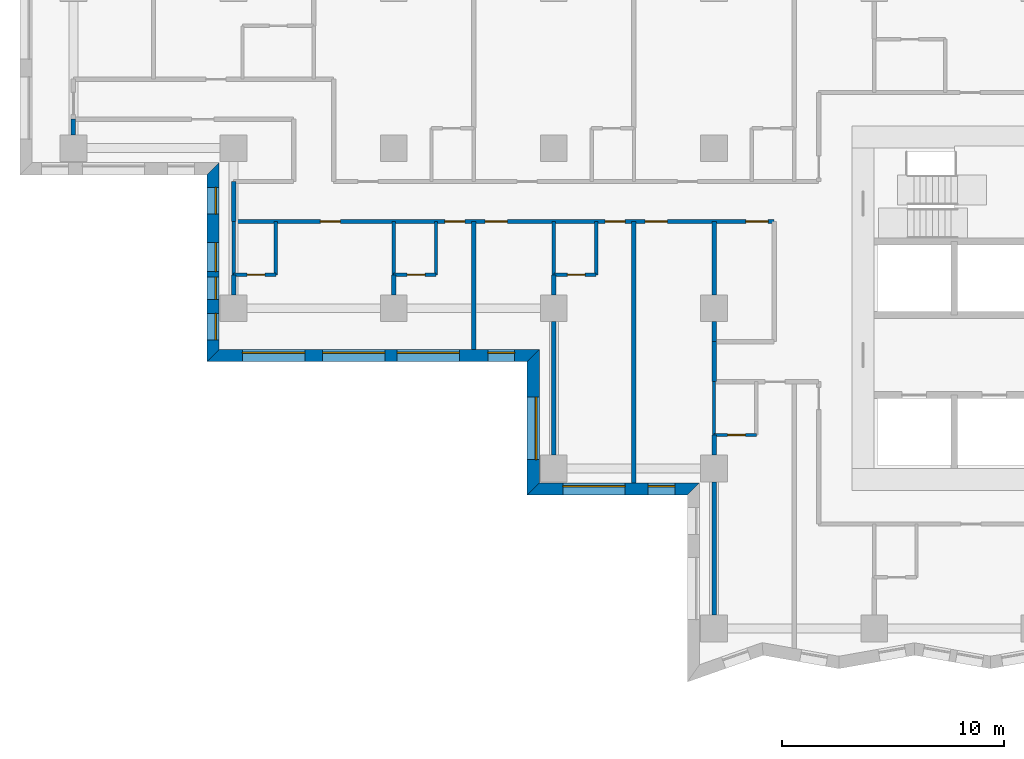
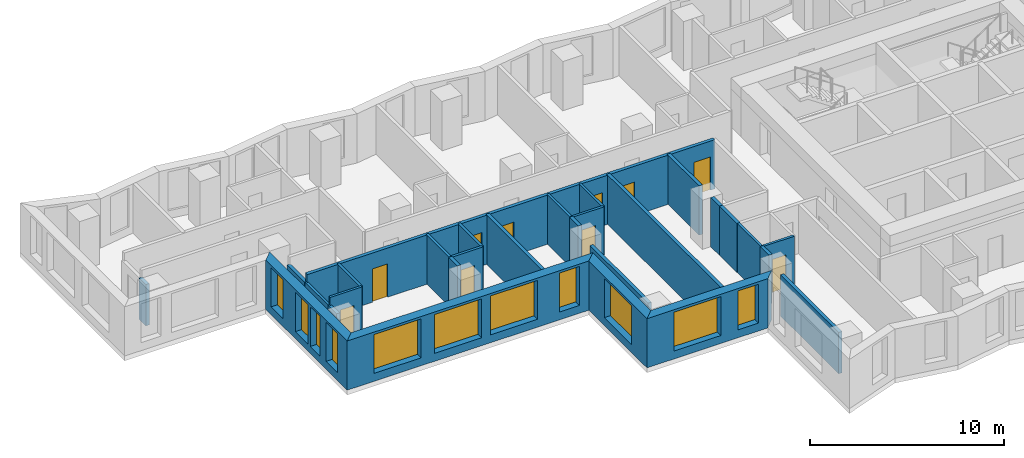
# One storey, part 3 of 12: 29 walls, 11 windows, 10 doors, 21 openings.
"""IFC4 building model written with IfcOpenShell, lengths in metres."""

from ifc_helpers import new_model, si_unit, direction, frame, frame_2d, origin, place, context, subcontext, project, spatial, polyline, rectangle, outline, extrude, material, layer, layer_set, type_object, element, fill, save


model = new_model("IFC4")

# Units and contexts
model_context = context("Model", 3, precision=1e-05, world=origin(), true_north=direction((0.0, 1.0)))
body_context = subcontext(model_context, "Body", "Model", "MODEL_VIEW")
ifc_project = project(units=[si_unit("LENGTHUNIT", "METRE"), si_unit("AREAUNIT", "SQUARE_METRE"), si_unit("VOLUMEUNIT", "CUBIC_METRE"), si_unit("PLANEANGLEUNIT", "RADIAN"), si_unit("MASSUNIT", "GRAM", prefix="KILO")], contexts=[model_context])

# Site, building, storey
site_placement = place(None, origin())
site = spatial("IfcSite", under=ifc_project, at=site_placement, CompositionType="ELEMENT")
building_placement = place(site_placement, origin())
building = spatial("IfcBuilding", under=site, at=building_placement, Name="Windrow Commons", CompositionType="ELEMENT")
storey_placement = place(building_placement, frame((0.0, 0.0, 61.0)))
storey = spatial("IfcBuildingStorey", under=building, at=storey_placement, Name="L16", CompositionType="ELEMENT", Elevation=61.0)

# Wall, openings, windows
ifc_material_1 = material(Name="Brick masonry, red clay brick", Category="masonry")
ifc_layer_1 = layer(ifc_material_1, 0.55)
ifc_layer_set_1 = layer_set([ifc_layer_1], Name="Brick facade wall 550")
wall_type_1 = type_object("IfcWallType", Name="Brick facade wall 550", PredefinedType="SOLIDWALL", material=ifc_layer_set_1)
wall_1_placement = place(storey_placement, frame((27.875, 63.875, 0.0), z_axis=(0.0, 0.0, 1.0), x_axis=(0.0, -1.0, 0.0)))
wall_1 = element("IfcWall", 1, at=wall_1_placement, inside=storey, type_object=wall_type_1, Name="Brick facade wall L16 41", PredefinedType="SOLIDWALL", context=body_context, shape_type="SweptSolid", body=[
    extrude(outline(polyline([(0.275, -0.275), (8.678, -0.275), (8.128, 0.275), (-0.275, 0.275), (0.275, -0.275)])), origin(), (0.0, 0.0, 1.0), 3.1),
])
opening_1_placement = place(wall_1_placement, frame((0.8375, 0.0, 0.5)))
opening_1 = element("IfcOpeningElement", 2, at=opening_1_placement, cuts=wall_1, Name="Opening W7D", PredefinedType="OPENING", context=body_context, shape_type="SweptSolid", body=[
    extrude(rectangle(XDim=1.2, YDim=2.45, at=frame_2d((0.6, 1.225))), frame((0.0, 0.285, 0.0), z_axis=(0.0, -1.0, 0.0), x_axis=(1.0, 0.0, 0.0)), (0.0, 0.0, 1.0), 0.57),
])
opening_2_placement = place(wall_1_placement, frame((6.5015, 0.0, 0.5)))
opening_2 = element("IfcOpeningElement", 3, at=opening_2_placement, cuts=wall_1, Name="Opening W7D", PredefinedType="OPENING", context=body_context, shape_type="SweptSolid", body=[
    extrude(rectangle(XDim=1.2, YDim=2.45, at=frame_2d((0.6, 1.225))), frame((0.0, 0.285, 0.0), z_axis=(0.0, -1.0, 0.0), x_axis=(1.0, 0.0, 0.0)), (0.0, 0.0, 1.0), 0.57),
])
opening_3_placement = place(wall_1_placement, frame((3.325, 0.0, 0.45)))
opening_3 = element("IfcOpeningElement", 4, at=opening_3_placement, cuts=wall_1, Name="Opening W1Q", PredefinedType="OPENING", context=body_context, shape_type="SweptSolid", body=[
    extrude(rectangle(XDim=1.3, YDim=2.5, at=frame_2d((0.65, 1.25))), frame((0.0, 0.285, 0.0), z_axis=(0.0, -1.0, 0.0), x_axis=(1.0, 0.0, 0.0)), (0.0, 0.0, 1.0), 0.57),
])
opening_4_placement = place(wall_1_placement, frame((4.875, 0.0, 0.45)))
opening_4 = element("IfcOpeningElement", 5, at=opening_4_placement, cuts=wall_1, Name="Opening W1S", PredefinedType="OPENING", context=body_context, shape_type="SweptSolid", body=[
    extrude(rectangle(XDim=1.0, YDim=2.5, at=frame_2d((0.5, 1.25))), frame((0.0, 0.285, 0.0), z_axis=(0.0, -1.0, 0.0), x_axis=(1.0, 0.0, 0.0)), (0.0, 0.0, 1.0), 0.57),
])
ifc_material_2 = material(Name="Clear float glass in anodised aluminium frame", Category="aluminium")
window_type_1 = type_object("IfcWindowType", Name="Window W1Q pair 1300x2500", PartitioningType="SINGLE_PANEL", PredefinedType="WINDOW", material=ifc_material_2)
window_1_placement = place(opening_3_placement, origin())
window_1 = element("IfcWindow", 6, at=window_1_placement, inside=storey, type_object=window_type_1, Name="Window L16 41.1A", OverallHeight=2.5, OverallWidth=1.3, PartitioningType="SINGLE_PANEL", PredefinedType="WINDOW", context=body_context, shape_type="SweptSolid", body=[
    extrude(rectangle(XDim=1.3, YDim=2.5, at=frame_2d((0.65, 1.25))), frame((0.0, 0.155, 0.0), z_axis=(0.0, -1.0, 0.0), x_axis=(1.0, 0.0, 0.0)), (0.0, 0.0, 1.0), 0.06),
])
fill(opening_3, window_1)
ifc_material_3 = material(Name="Clear float glass in anodised aluminium frame", Category="aluminium")
window_type_2 = type_object("IfcWindowType", Name="Window W1S slit 1000x2500", PartitioningType="SINGLE_PANEL", PredefinedType="WINDOW", material=ifc_material_3)
window_2_placement = place(opening_4_placement, origin())
window_2 = element("IfcWindow", 7, at=window_2_placement, inside=storey, type_object=window_type_2, Name="Window L16 41.1B", OverallHeight=2.5, OverallWidth=1.0, PartitioningType="SINGLE_PANEL", PredefinedType="WINDOW", context=body_context, shape_type="SweptSolid", body=[
    extrude(rectangle(XDim=1.0, YDim=2.5, at=frame_2d((0.5, 1.25))), frame((0.0, 0.155, 0.0), z_axis=(0.0, -1.0, 0.0), x_axis=(1.0, 0.0, 0.0)), (0.0, 0.0, 1.0), 0.06),
])
fill(opening_4, window_2)
ifc_material_4 = material(Name="Clear float glass in anodised aluminium frame", Category="aluminium")
window_type_3 = type_object("IfcWindowType", Name="Window W7 notch 1200x2450", PartitioningType="SINGLE_PANEL", PredefinedType="WINDOW", material=ifc_material_4)
window_3_placement = place(opening_1_placement, origin())
window_3 = element("IfcWindow", 8, at=window_3_placement, inside=storey, type_object=window_type_3, Name="Window L16 41.2", OverallHeight=2.45, OverallWidth=1.2, PartitioningType="SINGLE_PANEL", PredefinedType="WINDOW", context=body_context, shape_type="SweptSolid", body=[
    extrude(rectangle(XDim=1.2, YDim=2.45, at=frame_2d((0.6, 1.225))), frame((0.0, 0.155, 0.0), z_axis=(0.0, -1.0, 0.0), x_axis=(1.0, 0.0, 0.0)), (0.0, 0.0, 1.0), 0.06),
])
fill(opening_1, window_3)
window_4_placement = place(opening_2_placement, origin())
window_4 = element("IfcWindow", 9, at=window_4_placement, inside=storey, type_object=window_type_3, Name="Window L16 41.3", OverallHeight=2.45, OverallWidth=1.2, PartitioningType="SINGLE_PANEL", PredefinedType="WINDOW", context=body_context, shape_type="SweptSolid", body=[
    extrude(rectangle(XDim=1.2, YDim=2.45, at=frame_2d((0.6, 1.225))), frame((0.0, 0.155, 0.0), z_axis=(0.0, -1.0, 0.0), x_axis=(1.0, 0.0, 0.0)), (0.0, 0.0, 1.0), 0.06),
])
fill(opening_2, window_4)

wall_2_placement = place(storey_placement, frame((27.875, 55.472, 0.0), z_axis=(0.0, 0.0, 1.0), x_axis=(1.0, 0.0, 0.0)))
wall_2 = element("IfcWall", 10, at=wall_2_placement, inside=storey, type_object=wall_type_1, Name="Brick facade wall L16 42", PredefinedType="SOLIDWALL", context=body_context, shape_type="SweptSolid", body=[
    extrude(outline(polyline([(-0.275, -0.275), (14.125, -0.275), (14.675, 0.275), (0.275, 0.275), (-0.275, -0.275)])), origin(), (0.0, 0.0, 1.0), 3.1),
])
opening_5_placement = place(wall_2_placement, frame((1.325, 0.0, 0.5)))
opening_5 = element("IfcOpeningElement", 11, at=opening_5_placement, cuts=wall_2, Name="Opening W1T", PredefinedType="OPENING", context=body_context, shape_type="SweptSolid", body=[
    extrude(rectangle(XDim=2.8, YDim=2.45, at=frame_2d((1.4, 1.225))), frame((0.0, 0.285, 0.0), z_axis=(0.0, -1.0, 0.0), x_axis=(1.0, 0.0, 0.0)), (0.0, 0.0, 1.0), 0.57),
])
opening_6_placement = place(wall_2_placement, frame((4.925, 0.0, 0.5)))
opening_6 = element("IfcOpeningElement", 12, at=opening_6_placement, cuts=wall_2, Name="Opening W1T", PredefinedType="OPENING", context=body_context, shape_type="SweptSolid", body=[
    extrude(rectangle(XDim=2.8, YDim=2.45, at=frame_2d((1.4, 1.225))), frame((0.0, 0.285, 0.0), z_axis=(0.0, -1.0, 0.0), x_axis=(1.0, 0.0, 0.0)), (0.0, 0.0, 1.0), 0.57),
])
opening_7_placement = place(wall_2_placement, frame((8.275, 0.0, 0.5)))
opening_7 = element("IfcOpeningElement", 13, at=opening_7_placement, cuts=wall_2, Name="Opening W1T", PredefinedType="OPENING", context=body_context, shape_type="SweptSolid", body=[
    extrude(rectangle(XDim=2.8, YDim=2.45, at=frame_2d((1.4, 1.225))), frame((0.0, 0.285, 0.0), z_axis=(0.0, -1.0, 0.0), x_axis=(1.0, 0.0, 0.0)), (0.0, 0.0, 1.0), 0.57),
])
opening_8_placement = place(wall_2_placement, frame((12.3625, 0.0, 0.5)))
opening_8 = element("IfcOpeningElement", 14, at=opening_8_placement, cuts=wall_2, Name="Opening W7D", PredefinedType="OPENING", context=body_context, shape_type="SweptSolid", body=[
    extrude(rectangle(XDim=1.2, YDim=2.45, at=frame_2d((0.6, 1.225))), frame((0.0, 0.285, 0.0), z_axis=(0.0, -1.0, 0.0), x_axis=(1.0, 0.0, 0.0)), (0.0, 0.0, 1.0), 0.57),
])
ifc_material_5 = material(Name="Clear float glass in anodised aluminium frame", Category="aluminium")
window_type_4 = type_object("IfcWindowType", Name="Window W1T bedroom 2800x2450", PartitioningType="SINGLE_PANEL", PredefinedType="WINDOW", material=ifc_material_5)
window_5_placement = place(opening_5_placement, origin())
window_5 = element("IfcWindow", 15, at=window_5_placement, inside=storey, type_object=window_type_4, Name="Window L16 42.1", OverallHeight=2.45, OverallWidth=2.8, PartitioningType="SINGLE_PANEL", PredefinedType="WINDOW", context=body_context, shape_type="SweptSolid", body=[
    extrude(rectangle(XDim=2.8, YDim=2.45, at=frame_2d((1.4, 1.225))), frame((0.0, 0.155, 0.0), z_axis=(0.0, -1.0, 0.0), x_axis=(1.0, 0.0, 0.0)), (0.0, 0.0, 1.0), 0.06),
])
fill(opening_5, window_5)
window_6_placement = place(opening_6_placement, origin())
window_6 = element("IfcWindow", 16, at=window_6_placement, inside=storey, type_object=window_type_4, Name="Window L16 42.2", OverallHeight=2.45, OverallWidth=2.8, PartitioningType="SINGLE_PANEL", PredefinedType="WINDOW", context=body_context, shape_type="SweptSolid", body=[
    extrude(rectangle(XDim=2.8, YDim=2.45, at=frame_2d((1.4, 1.225))), frame((0.0, 0.155, 0.0), z_axis=(0.0, -1.0, 0.0), x_axis=(1.0, 0.0, 0.0)), (0.0, 0.0, 1.0), 0.06),
])
fill(opening_6, window_6)
window_7_placement = place(opening_7_placement, origin())
window_7 = element("IfcWindow", 17, at=window_7_placement, inside=storey, type_object=window_type_4, Name="Window L16 42.3", OverallHeight=2.45, OverallWidth=2.8, PartitioningType="SINGLE_PANEL", PredefinedType="WINDOW", context=body_context, shape_type="SweptSolid", body=[
    extrude(rectangle(XDim=2.8, YDim=2.45, at=frame_2d((1.4, 1.225))), frame((0.0, 0.155, 0.0), z_axis=(0.0, -1.0, 0.0), x_axis=(1.0, 0.0, 0.0)), (0.0, 0.0, 1.0), 0.06),
])
fill(opening_7, window_7)
window_8_placement = place(opening_8_placement, origin())
window_8 = element("IfcWindow", 18, at=window_8_placement, inside=storey, type_object=window_type_3, Name="Window L16 42.4", OverallHeight=2.45, OverallWidth=1.2, PartitioningType="SINGLE_PANEL", PredefinedType="WINDOW", context=body_context, shape_type="SweptSolid", body=[
    extrude(rectangle(XDim=1.2, YDim=2.45, at=frame_2d((0.6, 1.225))), frame((0.0, 0.155, 0.0), z_axis=(0.0, -1.0, 0.0), x_axis=(1.0, 0.0, 0.0)), (0.0, 0.0, 1.0), 0.06),
])
fill(opening_8, window_8)

# Wall, opening, window
wall_3_placement = place(storey_placement, frame((42.275, 55.472, 0.0), z_axis=(0.0, 0.0, 1.0), x_axis=(0.0, -1.0, 0.0)))
wall_3 = element("IfcWall", 19, at=wall_3_placement, inside=storey, type_object=wall_type_1, Name="Brick facade wall L16 43", PredefinedType="SOLIDWALL", context=body_context, shape_type="SweptSolid", body=[
    extrude(outline(polyline([(0.275, -0.275), (6.272, -0.275), (5.722, 0.275), (-0.275, 0.275), (0.275, -0.275)])), origin(), (0.0, 0.0, 1.0), 3.1),
])
opening_9_placement = place(wall_3_placement, frame((1.872, 0.0, 0.5)))
opening_9 = element("IfcOpeningElement", 20, at=opening_9_placement, cuts=wall_3, Name="Opening W1T", PredefinedType="OPENING", context=body_context, shape_type="SweptSolid", body=[
    extrude(rectangle(XDim=2.8, YDim=2.45, at=frame_2d((1.4, 1.225))), frame((0.0, 0.285, 0.0), z_axis=(0.0, -1.0, 0.0), x_axis=(1.0, 0.0, 0.0)), (0.0, 0.0, 1.0), 0.57),
])
window_9_placement = place(opening_9_placement, origin())
window_9 = element("IfcWindow", 21, at=window_9_placement, inside=storey, type_object=window_type_4, Name="Window L16 43.1", OverallHeight=2.45, OverallWidth=2.8, PartitioningType="SINGLE_PANEL", PredefinedType="WINDOW", context=body_context, shape_type="SweptSolid", body=[
    extrude(rectangle(XDim=2.8, YDim=2.45, at=frame_2d((1.4, 1.225))), frame((0.0, 0.155, 0.0), z_axis=(0.0, -1.0, 0.0), x_axis=(1.0, 0.0, 0.0)), (0.0, 0.0, 1.0), 0.06),
])
fill(opening_9, window_9)

# Wall, openings, windows
wall_4_placement = place(storey_placement, frame((42.275, 49.475, 0.0), z_axis=(0.0, 0.0, 1.0), x_axis=(1.0, 0.0, 0.0)))
wall_4 = element("IfcWall", 22, at=wall_4_placement, inside=storey, type_object=wall_type_1, Name="Brick facade wall L16 44", PredefinedType="SOLIDWALL", context=body_context, shape_type="SweptSolid", body=[
    extrude(outline(polyline([(-0.275, -0.275), (6.925, -0.275), (7.475, 0.275), (0.275, 0.275), (-0.275, -0.275)])), origin(), (0.0, 0.0, 1.0), 3.1),
])
opening_10_placement = place(wall_4_placement, frame((1.325, 0.0, 0.5)))
opening_10 = element("IfcOpeningElement", 23, at=opening_10_placement, cuts=wall_4, Name="Opening W1T", PredefinedType="OPENING", context=body_context, shape_type="SweptSolid", body=[
    extrude(rectangle(XDim=2.8, YDim=2.45, at=frame_2d((1.4, 1.225))), frame((0.0, 0.285, 0.0), z_axis=(0.0, -1.0, 0.0), x_axis=(1.0, 0.0, 0.0)), (0.0, 0.0, 1.0), 0.57),
])
opening_11_placement = place(wall_4_placement, frame((5.1625, 0.0, 0.5)))
opening_11 = element("IfcOpeningElement", 24, at=opening_11_placement, cuts=wall_4, Name="Opening W7D", PredefinedType="OPENING", context=body_context, shape_type="SweptSolid", body=[
    extrude(rectangle(XDim=1.2, YDim=2.45, at=frame_2d((0.6, 1.225))), frame((0.0, 0.285, 0.0), z_axis=(0.0, -1.0, 0.0), x_axis=(1.0, 0.0, 0.0)), (0.0, 0.0, 1.0), 0.57),
])
window_10_placement = place(opening_10_placement, origin())
window_10 = element("IfcWindow", 25, at=window_10_placement, inside=storey, type_object=window_type_4, Name="Window L16 44.1", OverallHeight=2.45, OverallWidth=2.8, PartitioningType="SINGLE_PANEL", PredefinedType="WINDOW", context=body_context, shape_type="SweptSolid", body=[
    extrude(rectangle(XDim=2.8, YDim=2.45, at=frame_2d((1.4, 1.225))), frame((0.0, 0.155, 0.0), z_axis=(0.0, -1.0, 0.0), x_axis=(1.0, 0.0, 0.0)), (0.0, 0.0, 1.0), 0.06),
])
fill(opening_10, window_10)
window_11_placement = place(opening_11_placement, origin())
window_11 = element("IfcWindow", 26, at=window_11_placement, inside=storey, type_object=window_type_3, Name="Window L16 44.2", OverallHeight=2.45, OverallWidth=1.2, PartitioningType="SINGLE_PANEL", PredefinedType="WINDOW", context=body_context, shape_type="SweptSolid", body=[
    extrude(rectangle(XDim=1.2, YDim=2.45, at=frame_2d((0.6, 1.225))), frame((0.0, 0.155, 0.0), z_axis=(0.0, -1.0, 0.0), x_axis=(1.0, 0.0, 0.0)), (0.0, 0.0, 1.0), 0.06),
])
fill(opening_11, window_11)

# Wall, openings, doors
ifc_material_6 = material(Name="Blockwork partition", Category="masonry")
ifc_layer_2 = layer(ifc_material_6, 0.2)
ifc_layer_set_2 = layer_set([ifc_layer_2], Name="IW-CORRIDOR-200")
wall_type_2 = type_object("IfcWallType", Name="IW-CORRIDOR-200", PredefinedType="PARTITIONING", material=ifc_layer_set_2)
wall_5_placement = place(storey_placement, frame((28.8, 61.5, 0.0), z_axis=(0.0, 0.0, 1.0), x_axis=(1.0, 0.0, 0.0)))
wall_5 = element("IfcWall", 27, at=wall_5_placement, inside=storey, type_object=wall_type_2, Name="W-L16-W000", PredefinedType="PARTITIONING", context=body_context, shape_type="SweptSolid", body=[
    extrude(rectangle(XDim=24.3, YDim=0.2, at=frame_2d((12.15, 0.0))), origin(), (0.0, 0.0, 1.0), 3.1),
])
opening_12_placement = place(wall_5_placement, frame((3.8994, 0.0, 0.0)))
opening_12 = element("IfcOpeningElement", 28, at=opening_12_placement, cuts=wall_5, Name="Opening D109F", PredefinedType="OPENING", context=body_context, shape_type="SweptSolid", body=[
    extrude(rectangle(XDim=0.9, YDim=2.1, at=frame_2d((0.45, 1.05))), frame((0.0, 0.11, 0.0), z_axis=(0.0, -1.0, 0.0), x_axis=(1.0, 0.0, 0.0)), (0.0, 0.0, 1.0), 0.22),
])
opening_13_placement = place(wall_5_placement, frame((9.5, 0.0, 0.0)))
opening_13 = element("IfcOpeningElement", 29, at=opening_13_placement, cuts=wall_5, Name="Opening D109S", PredefinedType="OPENING", context=body_context, shape_type="SweptSolid", body=[
    extrude(rectangle(XDim=0.9, YDim=2.1, at=frame_2d((0.45, 1.05))), frame((0.0, 0.11, 0.0), z_axis=(0.0, -1.0, 0.0), x_axis=(1.0, 0.0, 0.0)), (0.0, 0.0, 1.0), 0.22),
])
opening_14_placement = place(wall_5_placement, frame((11.3075, 0.0, 0.0)))
opening_14 = element("IfcOpeningElement", 30, at=opening_14_placement, cuts=wall_5, Name="Opening D310F", PredefinedType="OPENING", context=body_context, shape_type="SweptSolid", body=[
    extrude(rectangle(XDim=1.0, YDim=2.1, at=frame_2d((0.5, 1.05))), frame((0.0, 0.11, 0.0), z_axis=(0.0, -1.0, 0.0), x_axis=(1.0, 0.0, 0.0)), (0.0, 0.0, 1.0), 0.22),
])
opening_15_placement = place(wall_5_placement, frame((16.7, 0.0, 0.0)))
opening_15 = element("IfcOpeningElement", 31, at=opening_15_placement, cuts=wall_5, Name="Opening D109S", PredefinedType="OPENING", context=body_context, shape_type="SweptSolid", body=[
    extrude(rectangle(XDim=0.9, YDim=2.1, at=frame_2d((0.45, 1.05))), frame((0.0, 0.11, 0.0), z_axis=(0.0, -1.0, 0.0), x_axis=(1.0, 0.0, 0.0)), (0.0, 0.0, 1.0), 0.22),
])
opening_16_placement = place(wall_5_placement, frame((18.5075, 0.0, 0.0)))
opening_16 = element("IfcOpeningElement", 32, at=opening_16_placement, cuts=wall_5, Name="Opening D310F", PredefinedType="OPENING", context=body_context, shape_type="SweptSolid", body=[
    extrude(rectangle(XDim=1.0, YDim=2.1, at=frame_2d((0.5, 1.05))), frame((0.0, 0.11, 0.0), z_axis=(0.0, -1.0, 0.0), x_axis=(1.0, 0.0, 0.0)), (0.0, 0.0, 1.0), 0.22),
])
opening_17_placement = place(wall_5_placement, frame((23.0333, 0.0, 0.0)))
opening_17 = element("IfcOpeningElement", 33, at=opening_17_placement, cuts=wall_5, Name="Opening D310F", PredefinedType="OPENING", context=body_context, shape_type="SweptSolid", body=[
    extrude(rectangle(XDim=1.0, YDim=2.1, at=frame_2d((0.5, 1.05))), frame((0.0, 0.11, 0.0), z_axis=(0.0, -1.0, 0.0), x_axis=(1.0, 0.0, 0.0)), (0.0, 0.0, 1.0), 0.22),
])
ifc_material_7 = material(Name="Timber door leaf", Category="wood")
door_type_1 = type_object("IfcDoorType", Name="DT-AMENITY-1000", OperationType="SINGLE_SWING_LEFT", PredefinedType="DOOR", material=ifc_material_7)
door_1_placement = place(opening_14_placement, origin())
door_1 = element("IfcDoor", 34, at=door_1_placement, inside=storey, type_object=door_type_1, Name="D-L16-D017", OperationType="SINGLE_SWING_RIGHT", OverallHeight=2.1, OverallWidth=1.0, PredefinedType="DOOR", context=body_context, shape_type="SweptSolid", body=[
    extrude(rectangle(XDim=1.0, YDim=2.1, at=frame_2d((0.5, 1.05))), frame((0.0, 0.025, 0.0), z_axis=(0.0, -1.0, 0.0), x_axis=(1.0, 0.0, 0.0)), (0.0, 0.0, 1.0), 0.05),
])
fill(opening_14, door_1)
door_2_placement = place(opening_16_placement, origin())
door_2 = element("IfcDoor", 35, at=door_2_placement, inside=storey, type_object=door_type_1, Name="D-L16-D020", OperationType="SINGLE_SWING_RIGHT", OverallHeight=2.1, OverallWidth=1.0, PredefinedType="DOOR", context=body_context, shape_type="SweptSolid", body=[
    extrude(rectangle(XDim=1.0, YDim=2.1, at=frame_2d((0.5, 1.05))), frame((0.0, 0.025, 0.0), z_axis=(0.0, -1.0, 0.0), x_axis=(1.0, 0.0, 0.0)), (0.0, 0.0, 1.0), 0.05),
])
fill(opening_16, door_2)
door_3_placement = place(opening_17_placement, origin())
door_3 = element("IfcDoor", 36, at=door_3_placement, inside=storey, type_object=door_type_1, Name="D-L16-D021", OperationType="SINGLE_SWING_LEFT", OverallHeight=2.1, OverallWidth=1.0, PredefinedType="DOOR", context=body_context, shape_type="SweptSolid", body=[
    extrude(rectangle(XDim=1.0, YDim=2.1, at=frame_2d((0.5, 1.05))), frame((0.0, 0.025, 0.0), z_axis=(0.0, -1.0, 0.0), x_axis=(1.0, 0.0, 0.0)), (0.0, 0.0, 1.0), 0.05),
])
fill(opening_17, door_3)
ifc_material_8 = material(Name="Timber door leaf", Category="wood")
door_type_2 = type_object("IfcDoorType", Name="DT-BEDROOM-900", OperationType="SINGLE_SWING_LEFT", PredefinedType="DOOR", material=ifc_material_8)
door_4_placement = place(opening_12_placement, origin())
door_4 = element("IfcDoor", 37, at=door_4_placement, inside=storey, type_object=door_type_2, Name="D-L16-D005", OperationType="SINGLE_SWING_LEFT", OverallHeight=2.1, OverallWidth=0.9, PredefinedType="DOOR", context=body_context, shape_type="SweptSolid", body=[
    extrude(rectangle(XDim=0.9, YDim=2.1, at=frame_2d((0.45, 1.05))), frame((0.0, 0.025, 0.0), z_axis=(0.0, -1.0, 0.0), x_axis=(1.0, 0.0, 0.0)), (0.0, 0.0, 1.0), 0.05),
])
fill(opening_12, door_4)
door_5_placement = place(opening_13_placement, origin())
door_5 = element("IfcDoor", 38, at=door_5_placement, inside=storey, type_object=door_type_2, Name="D-L16-D007", OperationType="SINGLE_SWING_LEFT", OverallHeight=2.1, OverallWidth=0.9, PredefinedType="DOOR", context=body_context, shape_type="SweptSolid", body=[
    extrude(rectangle(XDim=0.9, YDim=2.1, at=frame_2d((0.45, 1.05))), frame((0.0, 0.025, 0.0), z_axis=(0.0, -1.0, 0.0), x_axis=(1.0, 0.0, 0.0)), (0.0, 0.0, 1.0), 0.05),
])
fill(opening_13, door_5)
door_6_placement = place(opening_15_placement, origin())
door_6 = element("IfcDoor", 39, at=door_6_placement, inside=storey, type_object=door_type_2, Name="D-L16-D018", OperationType="SINGLE_SWING_LEFT", OverallHeight=2.1, OverallWidth=0.9, PredefinedType="DOOR", context=body_context, shape_type="SweptSolid", body=[
    extrude(rectangle(XDim=0.9, YDim=2.1, at=frame_2d((0.45, 1.05))), frame((0.0, 0.025, 0.0), z_axis=(0.0, -1.0, 0.0), x_axis=(1.0, 0.0, 0.0)), (0.0, 0.0, 1.0), 0.05),
])
fill(opening_15, door_6)

# Walls
wall_6_placement = place(storey_placement, frame((50.4, 54.3, 0.0), z_axis=(0.0, 0.0, 1.0), x_axis=(0.0, 1.0, 0.0)))
element("IfcWall", 40, at=wall_6_placement, inside=storey, type_object=wall_type_2, Name="W-L16-W132", PredefinedType="PARTITIONING", context=body_context, shape_type="SweptSolid", body=[
    extrude(rectangle(XDim=1.8, YDim=0.2, at=frame_2d((0.9, 0.0))), origin(), (0.0, 0.0, 1.0), 3.1),
])
wall_7_placement = place(storey_placement, frame((28.8, 61.5, 0.0), z_axis=(0.0, 0.0, 1.0), x_axis=(0.0, 1.0, 0.0)))
element("IfcWall", 41, at=wall_7_placement, inside=storey, type_object=wall_type_2, Name="W-L16-W133", PredefinedType="PARTITIONING", context=body_context, shape_type="SweptSolid", body=[
    extrude(rectangle(XDim=1.8, YDim=0.2, at=frame_2d((0.9, 0.0))), origin(), (0.0, 0.0, 1.0), 2.6),
])
ifc_material_9 = material(Name="Blockwork partition", Category="masonry")
ifc_layer_3 = layer(ifc_material_9, 0.15)
ifc_layer_set_3 = layer_set([ifc_layer_3], Name="IW-ENSUITE-150")
wall_type_3 = type_object("IfcWallType", Name="IW-ENSUITE-150", PredefinedType="PARTITIONING", material=ifc_layer_set_3)
wall_8_placement = place(storey_placement, frame((30.7, 59.1, 0.0), z_axis=(0.0, 0.0, 1.0), x_axis=(0.0, 1.0, 0.0)))
element("IfcWall", 42, at=wall_8_placement, inside=storey, type_object=wall_type_3, Name="W-L16-W084", PredefinedType="PARTITIONING", context=body_context, shape_type="SweptSolid", body=[
    extrude(rectangle(XDim=2.4, YDim=0.15, at=frame_2d((1.2, 0.0))), origin(), (0.0, 0.0, 1.0), 3.1),
])
wall_9_placement = place(storey_placement, frame((28.8, 59.1, 0.0), z_axis=(0.0, 0.0, 1.0), x_axis=(0.0, 1.0, 0.0)))
element("IfcWall", 43, at=wall_9_placement, inside=storey, type_object=wall_type_3, Name="W-L16-W085", PredefinedType="PARTITIONING", context=body_context, shape_type="SweptSolid", body=[
    extrude(rectangle(XDim=2.4, YDim=0.15, at=frame_2d((1.2, 0.0))), origin(), (0.0, 0.0, 1.0), 2.6),
])
for number, where, z_axis, x_axis, name in (
    (44, (37.9, 59.1, 0.0), (0.0, 0.0, 1.0), (0.0, 1.0, 0.0), "W-L16-W086"),
    (45, (36.0, 59.1, 0.0), (0.0, 0.0, 1.0), (0.0, 1.0, 0.0), "W-L16-W087"),
    (46, (45.1, 59.1, 0.0), (0.0, 0.0, 1.0), (0.0, 1.0, 0.0), "W-L16-W088"),
    (47, (43.2, 59.1, 0.0), (0.0, 0.0, 1.0), (0.0, 1.0, 0.0), "W-L16-W089"),
    (48, (50.4, 51.9, 0.0), (0.0, 0.0, 1.0), (0.0, 1.0, 0.0), "W-L16-W091"),
):
    element("IfcWall", number, at=place(storey_placement, frame(where, z_axis=z_axis, x_axis=x_axis)), inside=storey, type_object=wall_type_3, Name=name, PredefinedType="PARTITIONING", context=body_context, shape_type="SweptSolid", body=[
        extrude(rectangle(XDim=2.4, YDim=0.15, at=frame_2d((1.2, 0.0))), origin(), (0.0, 0.0, 1.0), 3.1),
    ])

# Wall, opening, door
wall_10_placement = place(storey_placement, frame((28.8, 59.1, 0.0), z_axis=(0.0, 0.0, 1.0), x_axis=(1.0, 0.0, 0.0)))
wall_10 = element("IfcWall", 49, at=wall_10_placement, inside=storey, type_object=wall_type_3, Name="W-L16-W117", PredefinedType="PARTITIONING", context=body_context, shape_type="SweptSolid", body=[
    extrude(rectangle(XDim=1.9, YDim=0.15, at=frame_2d((0.95, 0.0))), origin(), (0.0, 0.0, 1.0), 3.1),
])
opening_18_placement = place(wall_10_placement, frame((0.6069, 0.0, 0.0)))
opening_18 = element("IfcOpeningElement", 50, at=opening_18_placement, cuts=wall_10, Name="Opening D208N", PredefinedType="OPENING", context=body_context, shape_type="SweptSolid", body=[
    extrude(rectangle(XDim=0.8, YDim=2.1, at=frame_2d((0.4, 1.05))), frame((0.0, 0.085, 0.0), z_axis=(0.0, -1.0, 0.0), x_axis=(1.0, 0.0, 0.0)), (0.0, 0.0, 1.0), 0.17),
])
ifc_material_10 = material(Name="Timber door leaf", Category="wood")
door_type_3 = type_object("IfcDoorType", Name="DT-ENSUITE-800", OperationType="SINGLE_SWING_LEFT", PredefinedType="DOOR", material=ifc_material_10)
door_7_placement = place(opening_18_placement, origin())
door_7 = element("IfcDoor", 51, at=door_7_placement, inside=storey, type_object=door_type_3, Name="D-L16-D006", OperationType="SINGLE_SWING_RIGHT", OverallHeight=2.1, OverallWidth=0.8, PredefinedType="DOOR", context=body_context, shape_type="SweptSolid", body=[
    extrude(rectangle(XDim=0.8, YDim=2.1, at=frame_2d((0.4, 1.05))), frame((0.0, 0.025, 0.0), z_axis=(0.0, -1.0, 0.0), x_axis=(1.0, 0.0, 0.0)), (0.0, 0.0, 1.0), 0.05),
])
fill(opening_18, door_7)

wall_11_placement = place(storey_placement, frame((36.0, 59.1, 0.0), z_axis=(0.0, 0.0, 1.0), x_axis=(1.0, 0.0, 0.0)))
wall_11 = element("IfcWall", 52, at=wall_11_placement, inside=storey, type_object=wall_type_3, Name="W-L16-W118", PredefinedType="PARTITIONING", context=body_context, shape_type="SweptSolid", body=[
    extrude(rectangle(XDim=1.9, YDim=0.15, at=frame_2d((0.95, 0.0))), origin(), (0.0, 0.0, 1.0), 3.1),
])
opening_19_placement = place(wall_11_placement, frame((0.6069, 0.0, 0.0)))
opening_19 = element("IfcOpeningElement", 53, at=opening_19_placement, cuts=wall_11, Name="Opening D208N", PredefinedType="OPENING", context=body_context, shape_type="SweptSolid", body=[
    extrude(rectangle(XDim=0.8, YDim=2.1, at=frame_2d((0.4, 1.05))), frame((0.0, 0.085, 0.0), z_axis=(0.0, -1.0, 0.0), x_axis=(1.0, 0.0, 0.0)), (0.0, 0.0, 1.0), 0.17),
])
door_8_placement = place(opening_19_placement, origin())
door_8 = element("IfcDoor", 54, at=door_8_placement, inside=storey, type_object=door_type_3, Name="D-L16-D008", OperationType="SINGLE_SWING_RIGHT", OverallHeight=2.1, OverallWidth=0.8, PredefinedType="DOOR", context=body_context, shape_type="SweptSolid", body=[
    extrude(rectangle(XDim=0.8, YDim=2.1, at=frame_2d((0.4, 1.05))), frame((0.0, 0.025, 0.0), z_axis=(0.0, -1.0, 0.0), x_axis=(1.0, 0.0, 0.0)), (0.0, 0.0, 1.0), 0.05),
])
fill(opening_19, door_8)

wall_12_placement = place(storey_placement, frame((43.2, 59.1, 0.0), z_axis=(0.0, 0.0, 1.0), x_axis=(1.0, 0.0, 0.0)))
wall_12 = element("IfcWall", 55, at=wall_12_placement, inside=storey, type_object=wall_type_3, Name="W-L16-W119", PredefinedType="PARTITIONING", context=body_context, shape_type="SweptSolid", body=[
    extrude(rectangle(XDim=1.9, YDim=0.15, at=frame_2d((0.95, 0.0))), origin(), (0.0, 0.0, 1.0), 3.1),
])
opening_20_placement = place(wall_12_placement, frame((0.6069, 0.0, 0.0)))
opening_20 = element("IfcOpeningElement", 56, at=opening_20_placement, cuts=wall_12, Name="Opening D208N", PredefinedType="OPENING", context=body_context, shape_type="SweptSolid", body=[
    extrude(rectangle(XDim=0.8, YDim=2.1, at=frame_2d((0.4, 1.05))), frame((0.0, 0.085, 0.0), z_axis=(0.0, -1.0, 0.0), x_axis=(1.0, 0.0, 0.0)), (0.0, 0.0, 1.0), 0.17),
])
door_9_placement = place(opening_20_placement, origin())
door_9 = element("IfcDoor", 57, at=door_9_placement, inside=storey, type_object=door_type_3, Name="D-L16-D019", OperationType="SINGLE_SWING_RIGHT", OverallHeight=2.1, OverallWidth=0.8, PredefinedType="DOOR", context=body_context, shape_type="SweptSolid", body=[
    extrude(rectangle(XDim=0.8, YDim=2.1, at=frame_2d((0.4, 1.05))), frame((0.0, 0.025, 0.0), z_axis=(0.0, -1.0, 0.0), x_axis=(1.0, 0.0, 0.0)), (0.0, 0.0, 1.0), 0.05),
])
fill(opening_20, door_9)

wall_13_placement = place(storey_placement, frame((50.4, 51.9, 0.0), z_axis=(0.0, 0.0, 1.0), x_axis=(1.0, 0.0, 0.0)))
wall_13 = element("IfcWall", 58, at=wall_13_placement, inside=storey, type_object=wall_type_3, Name="W-L16-W123", PredefinedType="PARTITIONING", context=body_context, shape_type="SweptSolid", body=[
    extrude(rectangle(XDim=1.9, YDim=0.15, at=frame_2d((0.95, 0.0))), origin(), (0.0, 0.0, 1.0), 3.1),
])
opening_21_placement = place(wall_13_placement, frame((0.6069, 0.0, 0.0)))
opening_21 = element("IfcOpeningElement", 59, at=opening_21_placement, cuts=wall_13, Name="Opening D208N", PredefinedType="OPENING", context=body_context, shape_type="SweptSolid", body=[
    extrude(rectangle(XDim=0.8, YDim=2.1, at=frame_2d((0.4, 1.05))), frame((0.0, 0.085, 0.0), z_axis=(0.0, -1.0, 0.0), x_axis=(1.0, 0.0, 0.0)), (0.0, 0.0, 1.0), 0.17),
])
door_10_placement = place(opening_21_placement, origin())
door_10 = element("IfcDoor", 60, at=door_10_placement, inside=storey, type_object=door_type_3, Name="D-L16-D023", OperationType="SINGLE_SWING_RIGHT", OverallHeight=2.1, OverallWidth=0.8, PredefinedType="DOOR", context=body_context, shape_type="SweptSolid", body=[
    extrude(rectangle(XDim=0.8, YDim=2.1, at=frame_2d((0.4, 1.05))), frame((0.0, 0.025, 0.0), z_axis=(0.0, -1.0, 0.0), x_axis=(1.0, 0.0, 0.0)), (0.0, 0.0, 1.0), 0.05),
])
fill(opening_21, door_10)

# Walls
ifc_material_11 = material(Name="Blockwork partition", Category="masonry")
ifc_layer_4 = layer(ifc_material_11, 0.2)
ifc_layer_set_4 = layer_set([ifc_layer_4], Name="IW-PARTY-200")
wall_type_4 = type_object("IfcWallType", Name="IW-PARTY-200", PredefinedType="PARTITIONING", material=ifc_layer_set_4)
wall_14_placement = place(storey_placement, frame((46.8, 49.75, 0.0), z_axis=(0.0, 0.0, 1.0), x_axis=(0.0, 1.0, 0.0)))
element("IfcWall", 61, at=wall_14_placement, inside=storey, type_object=wall_type_4, Name="W-L16-W008", PredefinedType="PARTITIONING", context=body_context, shape_type="SweptSolid", body=[
    extrude(rectangle(XDim=11.75, YDim=0.2, at=frame_2d((5.875, 0.0))), origin(), (0.0, 0.0, 1.0), 3.1),
])
for number, where, z_axis, x_axis, name in (
    (62, (43.2, 51.0, 0.0), (0.0, 0.0, 1.0), (0.0, 1.0, 0.0), "W-L16-W028"),
    (63, (50.4, 43.8, 0.0), (0.0, 0.0, 1.0), (0.0, 1.0, 0.0), "W-L16-W029"),
):
    element("IfcWall", number, at=place(storey_placement, frame(where, z_axis=z_axis, x_axis=x_axis)), inside=storey, type_object=wall_type_4, Name=name, PredefinedType="PARTITIONING", context=body_context, shape_type="SweptSolid", body=[
        extrude(rectangle(XDim=6.0, YDim=0.2, at=frame_2d((3.0, 0.0))), origin(), (0.0, 0.0, 1.0), 2.6),
    ])
wall_15_placement = place(storey_placement, frame((39.6, 55.747, 0.0), z_axis=(0.0, 0.0, 1.0), x_axis=(0.0, 1.0, 0.0)))
element("IfcWall", 64, at=wall_15_placement, inside=storey, type_object=wall_type_4, Name="W-L16-W032", PredefinedType="PARTITIONING", context=body_context, shape_type="SweptSolid", body=[
    extrude(rectangle(XDim=5.753, YDim=0.2, at=frame_2d((2.8765, 0.0))), origin(), (0.0, 0.0, 1.0), 3.1),
])
wall_16_placement = place(storey_placement, frame((50.4, 58.2, 0.0), z_axis=(0.0, 0.0, 1.0), x_axis=(0.0, 1.0, 0.0)))
element("IfcWall", 65, at=wall_16_placement, inside=storey, type_object=wall_type_4, Name="W-L16-W057", PredefinedType="PARTITIONING", context=body_context, shape_type="SweptSolid", body=[
    extrude(rectangle(XDim=3.3, YDim=0.2, at=frame_2d((1.65, 0.0))), origin(), (0.0, 0.0, 1.0), 3.1),
])
wall_17_placement = place(storey_placement, frame((28.8, 58.2, 0.0), z_axis=(0.0, 0.0, 1.0), x_axis=(0.0, 1.0, 0.0)))
element("IfcWall", 66, at=wall_17_placement, inside=storey, type_object=wall_type_4, Name="W-L16-W144", PredefinedType="PARTITIONING", context=body_context, shape_type="SweptSolid", body=[
    extrude(rectangle(XDim=0.9, YDim=0.2, at=frame_2d((0.45, 0.0))), origin(), (0.0, 0.0, 1.0), 2.6),
])
for number, where, z_axis, x_axis, name in (
    (67, (36.0, 58.2, 0.0), (0.0, 0.0, 1.0), (0.0, 1.0, 0.0), "W-L16-W145"),
    (68, (43.2, 58.2, 0.0), (0.0, 0.0, 1.0), (0.0, 1.0, 0.0), "W-L16-W146"),
    (69, (50.4, 51.0, 0.0), (0.0, 0.0, 1.0), (0.0, 1.0, 0.0), "W-L16-W147"),
    (70, (50.4, 56.1, 0.0), (0.0, 0.0, 1.0), (0.0, 1.0, 0.0), "W-L16-W148"),
):
    element("IfcWall", number, at=place(storey_placement, frame(where, z_axis=z_axis, x_axis=x_axis)), inside=storey, type_object=wall_type_4, Name=name, PredefinedType="PARTITIONING", context=body_context, shape_type="SweptSolid", body=[
        extrude(rectangle(XDim=0.9, YDim=0.2, at=frame_2d((0.45, 0.0))), origin(), (0.0, 0.0, 1.0), 3.1),
    ])
wall_18_placement = place(storey_placement, frame((21.6, 65.4, 0.0), z_axis=(0.0, 0.0, 1.0), x_axis=(0.0, 1.0, 0.0)))
element("IfcWall", 71, at=wall_18_placement, inside=storey, type_object=wall_type_4, Name="W-L16-W151", PredefinedType="PARTITIONING", context=body_context, shape_type="SweptSolid", body=[
    extrude(rectangle(XDim=0.7, YDim=0.2, at=frame_2d((0.35, 0.0))), origin(), (0.0, 0.0, 1.0), 2.6),
])

save(model, "model.ifc")
